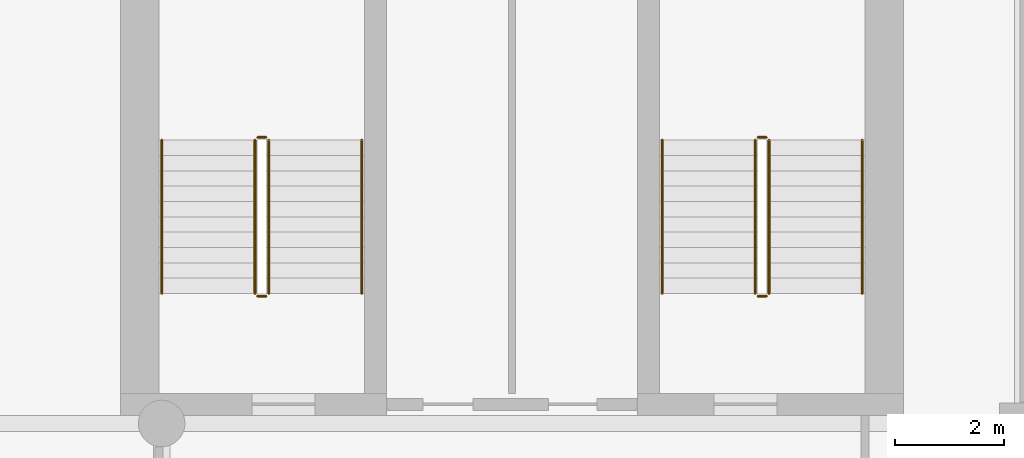
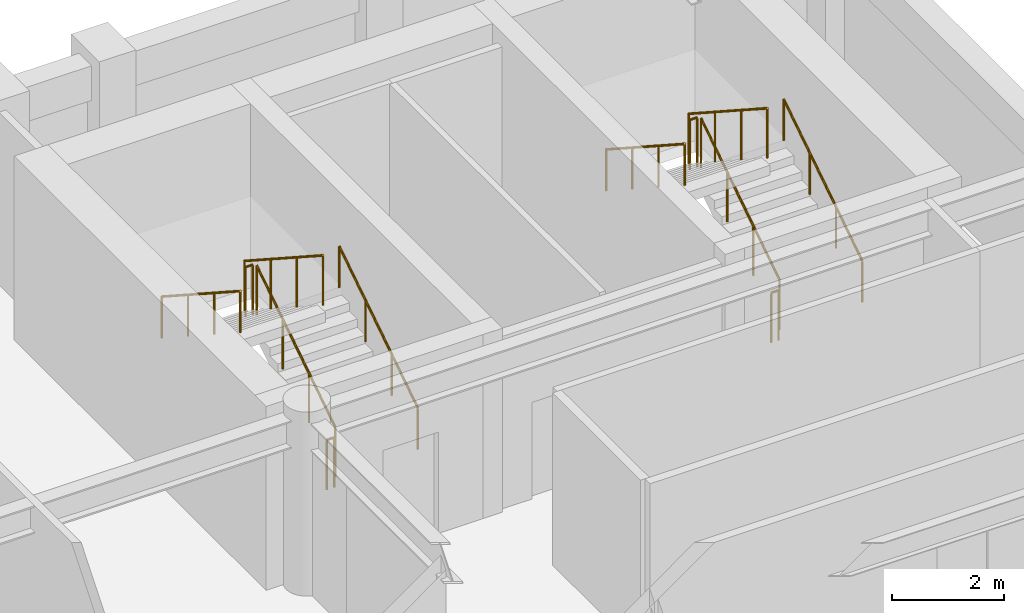
# One storey, part 8 of 8: 12 railings.
"""IFC4 building model written with IfcOpenShell, lengths in metres."""

from ifc_helpers import new_model, si_unit, direction, frame, origin, origin_2d, place, context, subcontext, project, spatial, circle, extrude, material, type_object, element, save


model = new_model("IFC4")

# Units and contexts
model_context = context("Model", 3, precision=1e-05, world=origin(), true_north=direction((0.0, 1.0)))
body_context = subcontext(model_context, "Body", "Model", "MODEL_VIEW")
ifc_project = project(units=[si_unit("LENGTHUNIT", "METRE"), si_unit("AREAUNIT", "SQUARE_METRE"), si_unit("VOLUMEUNIT", "CUBIC_METRE"), si_unit("PLANEANGLEUNIT", "RADIAN"), si_unit("MASSUNIT", "GRAM", prefix="KILO")], contexts=[model_context])

# Site, building, storey
site_placement = place(None, origin())
site = spatial("IfcSite", under=ifc_project, at=site_placement, CompositionType="ELEMENT")
building_placement = place(site_placement, origin())
building = spatial("IfcBuilding", under=site, at=building_placement, Name="Sulina Concourse Tower", CompositionType="ELEMENT")
storey_placement = place(building_placement, frame((0.0, 0.0, 222.60009765625)))
storey = spatial("IfcBuildingStorey", under=building, at=storey_placement, Name="L54", CompositionType="ELEMENT", Elevation=222.60009765625)

# Railings
ifc_material_1 = material(Name="Galvanised steel railing", Category="steel")
railing_type_1 = type_object("IfcRailingType", Name="Core Stair Steel Guardrail 1150mm", PredefinedType="GUARDRAIL", material=ifc_material_1)
railing_1_placement = place(storey_placement, frame((43.554931640625, 36.375, 0.181640625)))
element("IfcRailing", 1, at=railing_1_placement, inside=storey, type_object=railing_type_1, Name="L54 ST-3 stair guard 1", PredefinedType="GUARDRAIL", context=body_context, shape_type="SweptSolid", body=[
    extrude(circle(Radius=0.02392578125, at=origin_2d()), frame((0.0, 0.0, 1.076171875), z_axis=(0.0, 0.838672427954, 0.544636170843), x_axis=(-1.0, 0.0, 0.0)), (0.0, 0.0, 1.0), 3.338623046875),
    extrude(circle(Radius=0.02099609375, at=origin_2d()), origin(), (0.0, 0.0, 1.0), 1.052001953125),
    extrude(circle(Radius=0.02099609375, at=origin_2d()), frame((0.0, 0.933349609375, 0.606201171875)), (0.0, 0.0, 1.0), 1.052001953125),
    extrude(circle(Radius=0.02099609375, at=origin_2d()), frame((0.0, 1.86669921875, 1.212158203125)), (0.0, 0.0, 1.0), 1.052001953125),
    extrude(circle(Radius=0.02099609375, at=origin_2d()), frame((0.0, 2.800048828125, 1.818359375)), (0.0, 0.0, 1.0), 1.052001953125),
])
railing_2_placement = place(storey_placement, frame((43.5048828125, 39.22509765625, 2.0)))
element("IfcRailing", 2, at=railing_2_placement, inside=storey, type_object=railing_type_1, Name="L54 ST-3 stair guard 2", PredefinedType="GUARDRAIL", context=body_context, shape_type="SweptSolid", body=[
    extrude(circle(Radius=0.02392578125, at=origin_2d()), frame((0.0, 0.0, 1.076171875), z_axis=(-1.0, 0.0, 0.0), x_axis=(0.0, -1.0, 0.0)), (0.0, 0.0, 1.0), 0.14990234375),
    extrude(circle(Radius=0.02099609375, at=origin_2d()), origin(), (0.0, 0.0, 1.0), 1.052001953125),
    extrude(circle(Radius=0.02099609375, at=origin_2d()), frame((-0.14990234375, 0.0, 0.0)), (0.0, 0.0, 1.0), 1.052001953125),
])
railing_3_placement = place(storey_placement, frame((43.304931640625, 39.175048828125, 2.181640625)))
element("IfcRailing", 3, at=railing_3_placement, inside=storey, type_object=railing_type_1, Name="L54 ST-3 stair guard 3", PredefinedType="GUARDRAIL", context=body_context, shape_type="SweptSolid", body=[
    extrude(circle(Radius=0.02392578125, at=origin_2d()), frame((0.0, 0.0, 1.076171875), z_axis=(0.0, -0.838672427954, 0.544636170843), x_axis=(1.0, 0.0, 0.0)), (0.0, 0.0, 1.0), 3.338623046875),
    extrude(circle(Radius=0.02099609375, at=origin_2d()), origin(), (0.0, 0.0, 1.0), 1.052001953125),
    extrude(circle(Radius=0.02099609375, at=origin_2d()), frame((0.0, -0.933349609375, 0.606201171875)), (0.0, 0.0, 1.0), 1.052001953125),
    extrude(circle(Radius=0.02099609375, at=origin_2d()), frame((0.0, -1.86669921875, 1.212158203125)), (0.0, 0.0, 1.0), 1.052001953125),
    extrude(circle(Radius=0.02099609375, at=origin_2d()), frame((0.0, -2.800048828125, 1.818359375)), (0.0, 0.0, 1.0), 1.052001953125),
])
railing_4_placement = place(storey_placement, frame((43.5048828125, 36.324951171875, 0.0)))
element("IfcRailing", 4, at=railing_4_placement, inside=storey, type_object=railing_type_1, Name="L54 ST-3 stair guard 4", PredefinedType="GUARDRAIL", context=body_context, shape_type="SweptSolid", body=[
    extrude(circle(Radius=0.02392578125, at=origin_2d()), frame((0.0, 0.0, 1.076171875), z_axis=(-1.0, 0.0, 0.0), x_axis=(0.0, -1.0, 0.0)), (0.0, 0.0, 1.0), 0.14990234375),
    extrude(circle(Radius=0.02099609375, at=origin_2d()), origin(), (0.0, 0.0, 1.0), 1.052001953125),
    extrude(circle(Radius=0.02099609375, at=origin_2d()), frame((-0.14990234375, 0.0, 0.0)), (0.0, 0.0, 1.0), 1.052001953125),
])
railing_5_placement = place(storey_placement, frame((52.695068359375, 36.375, 0.181640625)))
element("IfcRailing", 5, at=railing_5_placement, inside=storey, type_object=railing_type_1, Name="L54 ST-4 stair guard 1", PredefinedType="GUARDRAIL", context=body_context, shape_type="SweptSolid", body=[
    extrude(circle(Radius=0.02392578125, at=origin_2d()), frame((0.0, 0.0, 1.076171875), z_axis=(0.0, 0.838672427954, 0.544636170843), x_axis=(-1.0, 0.0, 0.0)), (0.0, 0.0, 1.0), 3.338623046875),
    extrude(circle(Radius=0.02099609375, at=origin_2d()), origin(), (0.0, 0.0, 1.0), 1.052001953125),
    extrude(circle(Radius=0.02099609375, at=origin_2d()), frame((0.0, 0.933349609375, 0.606201171875)), (0.0, 0.0, 1.0), 1.052001953125),
    extrude(circle(Radius=0.02099609375, at=origin_2d()), frame((0.0, 1.86669921875, 1.212158203125)), (0.0, 0.0, 1.0), 1.052001953125),
    extrude(circle(Radius=0.02099609375, at=origin_2d()), frame((0.0, 2.800048828125, 1.818359375)), (0.0, 0.0, 1.0), 1.052001953125),
])
railing_6_placement = place(storey_placement, frame((52.64501953125, 39.22509765625, 2.0)))
element("IfcRailing", 6, at=railing_6_placement, inside=storey, type_object=railing_type_1, Name="L54 ST-4 stair guard 2", PredefinedType="GUARDRAIL", context=body_context, shape_type="SweptSolid", body=[
    extrude(circle(Radius=0.02392578125, at=origin_2d()), frame((0.0, 0.0, 1.076171875), z_axis=(-1.0, 0.0, 0.0), x_axis=(0.0, -1.0, 0.0)), (0.0, 0.0, 1.0), 0.14990234375),
    extrude(circle(Radius=0.02099609375, at=origin_2d()), origin(), (0.0, 0.0, 1.0), 1.052001953125),
    extrude(circle(Radius=0.02099609375, at=origin_2d()), frame((-0.14990234375, 0.0, 0.0)), (0.0, 0.0, 1.0), 1.052001953125),
])
railing_7_placement = place(storey_placement, frame((52.445068359375, 39.175048828125, 2.181640625)))
element("IfcRailing", 7, at=railing_7_placement, inside=storey, type_object=railing_type_1, Name="L54 ST-4 stair guard 3", PredefinedType="GUARDRAIL", context=body_context, shape_type="SweptSolid", body=[
    extrude(circle(Radius=0.02392578125, at=origin_2d()), frame((0.0, 0.0, 1.076171875), z_axis=(0.0, -0.838672427954, 0.544636170843), x_axis=(1.0, 0.0, 0.0)), (0.0, 0.0, 1.0), 3.338623046875),
    extrude(circle(Radius=0.02099609375, at=origin_2d()), origin(), (0.0, 0.0, 1.0), 1.052001953125),
    extrude(circle(Radius=0.02099609375, at=origin_2d()), frame((0.0, -0.933349609375, 0.606201171875)), (0.0, 0.0, 1.0), 1.052001953125),
    extrude(circle(Radius=0.02099609375, at=origin_2d()), frame((0.0, -1.86669921875, 1.212158203125)), (0.0, 0.0, 1.0), 1.052001953125),
    extrude(circle(Radius=0.02099609375, at=origin_2d()), frame((0.0, -2.800048828125, 1.818359375)), (0.0, 0.0, 1.0), 1.052001953125),
])
railing_8_placement = place(storey_placement, frame((52.64501953125, 36.324951171875, 0.0)))
element("IfcRailing", 8, at=railing_8_placement, inside=storey, type_object=railing_type_1, Name="L54 ST-4 stair guard 4", PredefinedType="GUARDRAIL", context=body_context, shape_type="SweptSolid", body=[
    extrude(circle(Radius=0.02392578125, at=origin_2d()), frame((0.0, 0.0, 1.076171875), z_axis=(-1.0, 0.0, 0.0), x_axis=(0.0, -1.0, 0.0)), (0.0, 0.0, 1.0), 0.14990234375),
    extrude(circle(Radius=0.02099609375, at=origin_2d()), origin(), (0.0, 0.0, 1.0), 1.052001953125),
    extrude(circle(Radius=0.02099609375, at=origin_2d()), frame((-0.14990234375, 0.0, 0.0)), (0.0, 0.0, 1.0), 1.052001953125),
])
ifc_material_2 = material(Name="Galvanised steel railing", Category="steel")
railing_type_2 = type_object("IfcRailingType", Name="Stair Wall Steel Handrail 920mm", PredefinedType="HANDRAIL", material=ifc_material_2)
railing_9_placement = place(storey_placement, frame((45.2548828125, 36.375, 0.181640625)))
element("IfcRailing", 9, at=railing_9_placement, inside=storey, type_object=railing_type_2, Name="L54 ST-3 stair handrail 1", PredefinedType="HANDRAIL", context=body_context, shape_type="SweptSolid", body=[
    extrude(circle(Radius=0.02392578125, at=origin_2d()), frame((0.0, 0.0, 0.89599609375), z_axis=(0.0, 0.838672427954, 0.544636170843), x_axis=(-1.0, 0.0, 0.0)), (0.0, 0.0, 1.0), 3.338623046875),
    extrude(circle(Radius=0.02099609375, at=origin_2d()), origin(), (0.0, 0.0, 1.0), 0.871826171875),
    extrude(circle(Radius=0.02099609375, at=origin_2d()), frame((0.0, 0.933349609375, 0.606201171875)), (0.0, 0.0, 1.0), 0.871826171875),
    extrude(circle(Radius=0.02099609375, at=origin_2d()), frame((0.0, 1.86669921875, 1.212158203125)), (0.0, 0.0, 1.0), 0.871826171875),
    extrude(circle(Radius=0.02099609375, at=origin_2d()), frame((0.0, 2.800048828125, 1.818359375)), (0.0, 0.0, 1.0), 0.871826171875),
])
railing_10_placement = place(storey_placement, frame((41.60498046875, 39.175048828125, 2.181640625)))
element("IfcRailing", 10, at=railing_10_placement, inside=storey, type_object=railing_type_2, Name="L54 ST-3 stair handrail 2", PredefinedType="HANDRAIL", context=body_context, shape_type="SweptSolid", body=[
    extrude(circle(Radius=0.02392578125, at=origin_2d()), frame((0.0, 0.0, 0.89599609375), z_axis=(0.0, -0.838672427954, 0.544636170843), x_axis=(1.0, 0.0, 0.0)), (0.0, 0.0, 1.0), 3.338623046875),
    extrude(circle(Radius=0.02099609375, at=origin_2d()), origin(), (0.0, 0.0, 1.0), 0.871826171875),
    extrude(circle(Radius=0.02099609375, at=origin_2d()), frame((0.0, -0.933349609375, 0.606201171875)), (0.0, 0.0, 1.0), 0.871826171875),
    extrude(circle(Radius=0.02099609375, at=origin_2d()), frame((0.0, -1.86669921875, 1.212158203125)), (0.0, 0.0, 1.0), 0.871826171875),
    extrude(circle(Radius=0.02099609375, at=origin_2d()), frame((0.0, -2.800048828125, 1.818359375)), (0.0, 0.0, 1.0), 0.871826171875),
])
railing_11_placement = place(storey_placement, frame((54.39501953125, 36.375, 0.181640625)))
element("IfcRailing", 11, at=railing_11_placement, inside=storey, type_object=railing_type_2, Name="L54 ST-4 stair handrail 1", PredefinedType="HANDRAIL", context=body_context, shape_type="SweptSolid", body=[
    extrude(circle(Radius=0.02392578125, at=origin_2d()), frame((0.0, 0.0, 0.89599609375), z_axis=(0.0, 0.838672427954, 0.544636170843), x_axis=(-1.0, 0.0, 0.0)), (0.0, 0.0, 1.0), 3.338623046875),
    extrude(circle(Radius=0.02099609375, at=origin_2d()), origin(), (0.0, 0.0, 1.0), 0.871826171875),
    extrude(circle(Radius=0.02099609375, at=origin_2d()), frame((0.0, 0.933349609375, 0.606201171875)), (0.0, 0.0, 1.0), 0.871826171875),
    extrude(circle(Radius=0.02099609375, at=origin_2d()), frame((0.0, 1.86669921875, 1.212158203125)), (0.0, 0.0, 1.0), 0.871826171875),
    extrude(circle(Radius=0.02099609375, at=origin_2d()), frame((0.0, 2.800048828125, 1.818359375)), (0.0, 0.0, 1.0), 0.871826171875),
])
railing_12_placement = place(storey_placement, frame((50.7451171875, 39.175048828125, 2.181640625)))
element("IfcRailing", 12, at=railing_12_placement, inside=storey, type_object=railing_type_2, Name="L54 ST-4 stair handrail 2", PredefinedType="HANDRAIL", context=body_context, shape_type="SweptSolid", body=[
    extrude(circle(Radius=0.02392578125, at=origin_2d()), frame((0.0, 0.0, 0.89599609375), z_axis=(0.0, -0.838672427954, 0.544636170843), x_axis=(1.0, 0.0, 0.0)), (0.0, 0.0, 1.0), 3.338623046875),
    extrude(circle(Radius=0.02099609375, at=origin_2d()), origin(), (0.0, 0.0, 1.0), 0.871826171875),
    extrude(circle(Radius=0.02099609375, at=origin_2d()), frame((0.0, -0.933349609375, 0.606201171875)), (0.0, 0.0, 1.0), 0.871826171875),
    extrude(circle(Radius=0.02099609375, at=origin_2d()), frame((0.0, -1.86669921875, 1.212158203125)), (0.0, 0.0, 1.0), 0.871826171875),
    extrude(circle(Radius=0.02099609375, at=origin_2d()), frame((0.0, -2.800048828125, 1.818359375)), (0.0, 0.0, 1.0), 0.871826171875),
])

save(model, "model.ifc")
